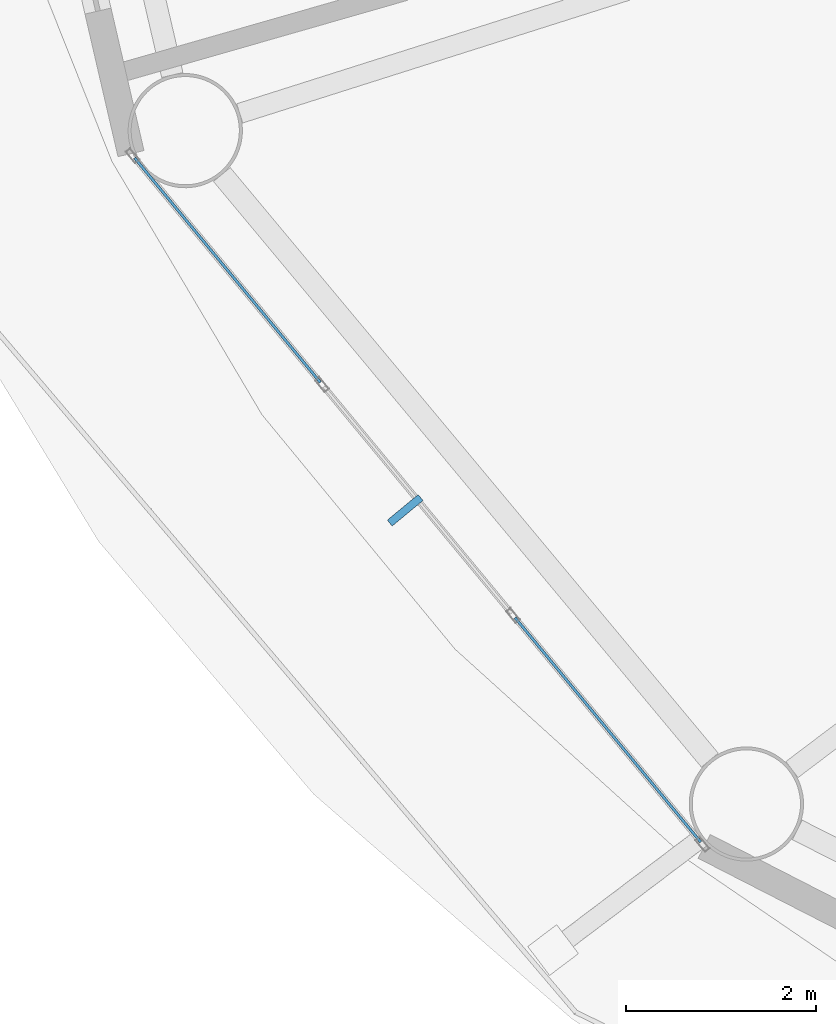
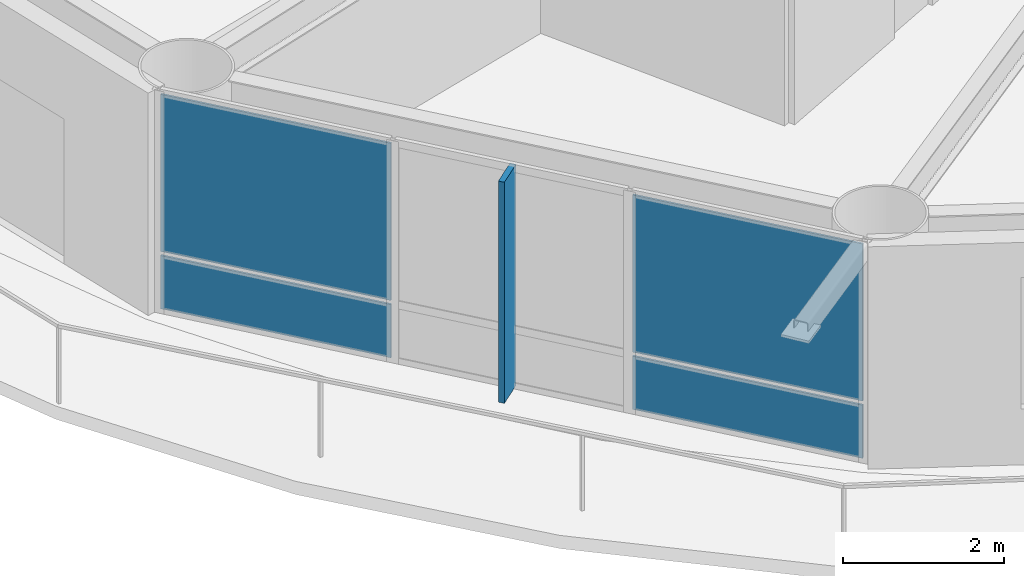
# One storey, part 14 of 24: 5 plates, 1 element without a shape of its own.
"""IFC4 building model written with IfcOpenShell, lengths in metres."""

from ifc_helpers import new_model, si_unit, direction, frame, origin, origin_2d, place, context, subcontext, project, spatial, rectangle, extrude, material, layer, layer_set, type_object, element, aggregate, save


model = new_model("IFC4")

# Units and contexts
model_context = context("Model", 3, precision=1e-05, world=origin(), true_north=direction((0.0, 1.0)))
body_context = subcontext(model_context, "Body", "Model", "MODEL_VIEW")
ifc_project = project(units=[si_unit("LENGTHUNIT", "METRE"), si_unit("AREAUNIT", "SQUARE_METRE"), si_unit("VOLUMEUNIT", "CUBIC_METRE"), si_unit("PLANEANGLEUNIT", "RADIAN"), si_unit("MASSUNIT", "GRAM", prefix="KILO")], contexts=[model_context])

# Site, building, storey
site_placement = place(None, origin())
site = spatial("IfcSite", under=ifc_project, at=site_placement, CompositionType="ELEMENT")
building_placement = place(site_placement, origin())
building = spatial("IfcBuilding", under=site, at=building_placement, Name="Sarneth Arch Tower", CompositionType="ELEMENT")
storey_placement = place(building_placement, frame((0.0, 0.0, 94.800048828125)))
storey = spatial("IfcBuildingStorey", under=building, at=storey_placement, Name="L23", CompositionType="ELEMENT", Elevation=94.800048828125)

# Curtain wall, plates
ifc_material_1 = material(Name="Anodised aluminium Type AA25 and solar-control low-e laminated IGU", Category="aluminium")
ifc_layer_1 = layer(ifc_material_1, 0.159912109375)
ifc_layer_set_1 = layer_set([ifc_layer_1], Name="Anodised aluminium Type AA25 and solar-control low-e laminated IGU")
curtain_wall_type = type_object("IfcCurtainWallType", Name="CW-HOTEL-MID", PredefinedType="NOTDEFINED", material=ifc_layer_set_1)
curtain_wall_placement = place(storey_placement, origin())
curtain_wall = element("IfcCurtainWall", 1, at=curtain_wall_placement, inside=storey, type_object=curtain_wall_type, Name="L23 Unitised curtain wall facet 10", PredefinedType="NOTDEFINED")
ifc_material_2 = material(Name="Solar-control low-e laminated IGU", Category="glass")
ifc_layer_2 = layer(ifc_material_2, 0.028076171875)
ifc_layer_set_2 = layer_set([ifc_layer_2], Name="Solar-control low-e laminated IGU")
plate_type_1 = type_object("IfcPlateType", Name="CW-PANEL", PredefinedType="CURTAIN_PANEL", material=ifc_layer_set_2)
plate_1_placement = place(storey_placement, frame((22.15185546875, 32.192138671875, 0.059814453125), z_axis=(0.0, 0.0, 1.0), x_axis=(0.637515188684, -0.770437787363, 0.0)))
plate_1 = element("IfcPlate", 2, at=plate_1_placement, type_object=plate_type_1, Name="Curtain wall glazed vision pane CW-L23-F10/P00-00", PredefinedType="CURTAIN_PANEL", context=body_context, shape_type="SweptSolid", body=[
    extrude(rectangle(XDim=3.058349609375, YDim=0.028076171875, at=origin_2d()), origin(), (0.0, 0.0, 1.0), 0.81005859375),
])
plate_2_placement = place(storey_placement, frame((22.15185546875, 32.192138671875, 0.93017578125), z_axis=(0.0, 0.0, 1.0), x_axis=(0.637515188684, -0.770437787363, 0.0)))
plate_2 = element("IfcPlate", 3, at=plate_2_placement, type_object=plate_type_1, Name="Curtain wall glazed vision pane CW-L23-F10/P00-01", PredefinedType="CURTAIN_PANEL", context=body_context, shape_type="SweptSolid", body=[
    extrude(rectangle(XDim=3.058349609375, YDim=0.028076171875, at=origin_2d()), origin(), (0.0, 0.0, 1.0), 2.389892578125),
])
plate_3_placement = place(storey_placement, frame((26.14697265625, 27.364013671875, 0.059814453125), z_axis=(0.0, 0.0, 1.0), x_axis=(0.637515188684, -0.770437787363, 0.0)))
plate_3 = element("IfcPlate", 4, at=plate_3_placement, type_object=plate_type_1, Name="Curtain wall glazed vision pane CW-L23-F10/P02-00", PredefinedType="CURTAIN_PANEL", context=body_context, shape_type="SweptSolid", body=[
    extrude(rectangle(XDim=3.058349609375, YDim=0.028076171875, at=origin_2d()), origin(), (0.0, 0.0, 1.0), 0.81005859375),
])
plate_4_placement = place(storey_placement, frame((26.14697265625, 27.364013671875, 0.93017578125), z_axis=(0.0, 0.0, 1.0), x_axis=(0.637515188684, -0.770437787363, 0.0)))
plate_4 = element("IfcPlate", 5, at=plate_4_placement, type_object=plate_type_1, Name="Curtain wall glazed vision pane CW-L23-F10/P02-01", PredefinedType="CURTAIN_PANEL", context=body_context, shape_type="SweptSolid", body=[
    extrude(rectangle(XDim=3.058349609375, YDim=0.028076171875, at=origin_2d()), origin(), (0.0, 0.0, 1.0), 2.389892578125),
])
aggregate(curtain_wall, [plate_1, plate_2, plate_3, plate_4])

# Plate
ifc_material_3 = material(Name="Extruded glazed terracotta baguette fin on Aluminium 6063-T6 carrier", Category="masonry")
ifc_layer_3 = layer(ifc_material_3, 0.080078125)
ifc_layer_set_3 = layer_set([ifc_layer_3], Name="Extruded glazed terracotta baguette fin on Aluminium 6063-T6 carrier")
plate_type_2 = type_object("IfcPlateType", Name="SHADE-TERRA-FIN", PredefinedType="SHEET", material=ifc_layer_set_3)
plate_5_placement = place(storey_placement, frame((24.018310546875, 29.669677734375, 0.009765625), z_axis=(0.0, 0.0, 1.0), x_axis=(-0.770401979567, -0.63755845997, 0.0)))
element("IfcPlate", 6, at=plate_5_placement, inside=storey, type_object=plate_type_2, Name="L23 Terracotta vertical shading fin 10", PredefinedType="SHEET", context=body_context, shape_type="SweptSolid", body=[
    extrude(rectangle(XDim=0.419921875, YDim=0.080078125, at=origin_2d()), origin(), (0.0, 0.0, 1.0), 3.360107421875),
])

save(model, "model.ifc")
